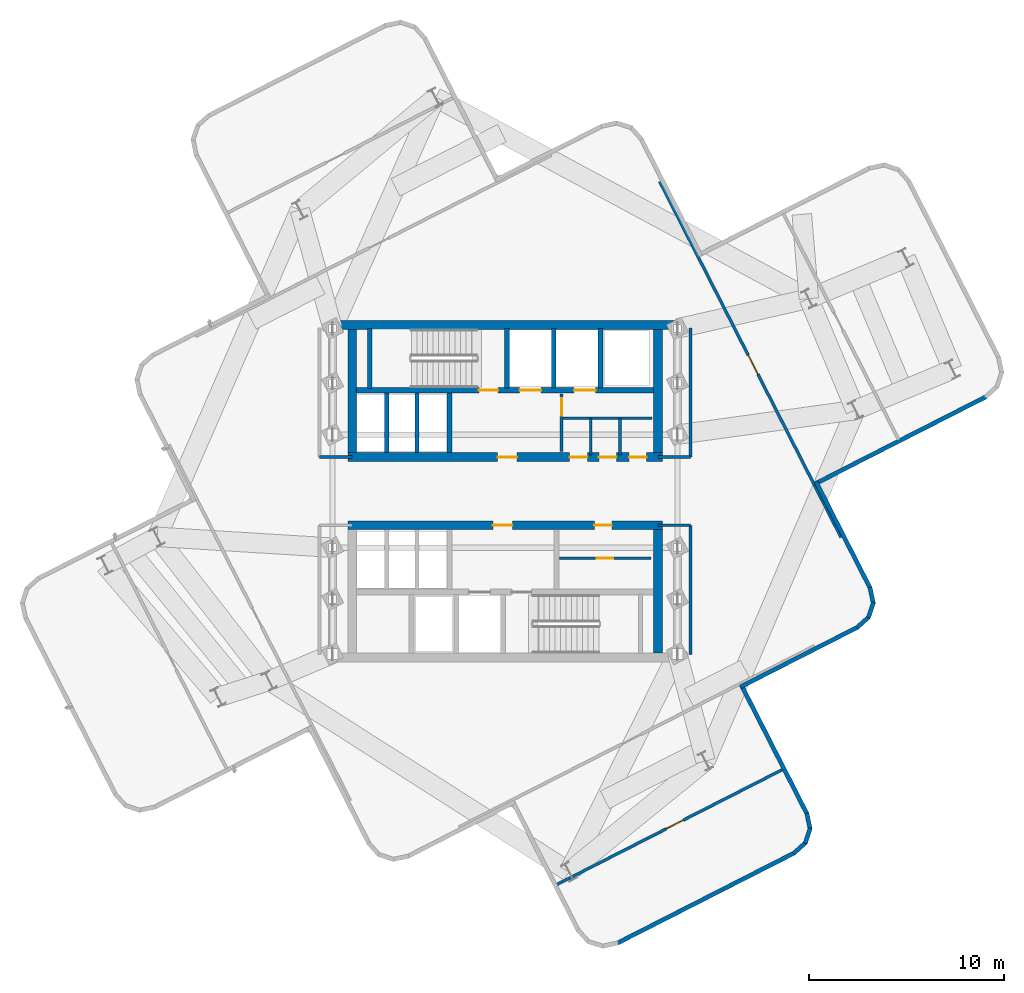
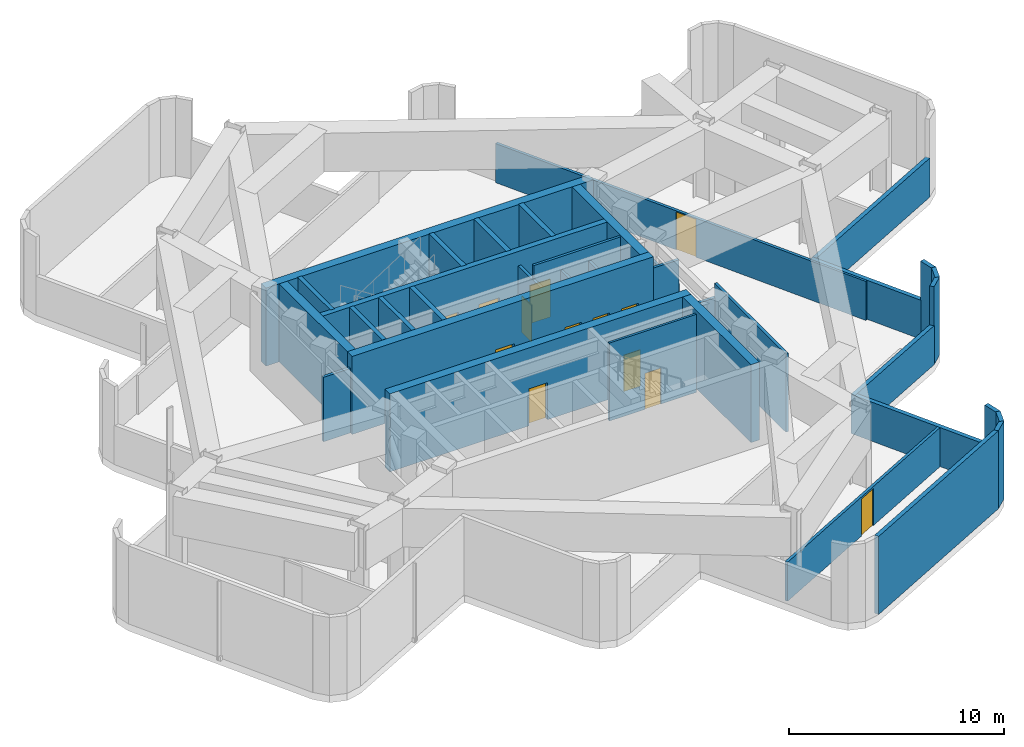
# One storey, part 4 of 6: 37 walls, 13 doors, 13 openings.
"""IFC4 building model written with IfcOpenShell, lengths in metres."""

from ifc_helpers import new_model, si_unit, direction, frame, frame_2d, origin, place, context, subcontext, project, spatial, rectangle, extrude, material, layer, layer_set, type_object, element, fill, save


model = new_model("IFC4")

# Units and contexts
model_context = context("Model", 3, precision=1e-05, world=origin(), true_north=direction((0.0, 1.0)))
body_context = subcontext(model_context, "Body", "Model", "MODEL_VIEW")
ifc_project = project(units=[si_unit("LENGTHUNIT", "METRE"), si_unit("AREAUNIT", "SQUARE_METRE"), si_unit("VOLUMEUNIT", "CUBIC_METRE"), si_unit("PLANEANGLEUNIT", "RADIAN"), si_unit("MASSUNIT", "GRAM", prefix="KILO")], contexts=[model_context])

# Site, building, storey
site_placement = place(None, origin())
site = spatial("IfcSite", under=ifc_project, at=site_placement, CompositionType="ELEMENT")
building_placement = place(site_placement, origin())
building = spatial("IfcBuilding", under=site, at=building_placement, Name="Solmarez Civic Tower", CompositionType="ELEMENT")
storey_placement = place(building_placement, frame((0.0, 0.0, 196.199951171875)))
storey = spatial("IfcBuildingStorey", under=building, at=storey_placement, Name="L52", CompositionType="ELEMENT", Elevation=196.199951171875)

# Wall
ifc_material_1 = material(Name="Concrete C50/60", Category="concrete")
ifc_layer_1 = layer(ifc_material_1, 0.449951171875)
ifc_layer_set_1 = layer_set([ifc_layer_1], Name="Concrete C50/60")
wall_type_1 = type_object("IfcWallType", Name="WALL-CORE-450", PredefinedType="SHEAR", material=ifc_layer_set_1)
wall_1_placement = place(storey_placement, frame((-8.780029296875, 8.534912109375, 0.0), z_axis=(0.0, 0.0, 1.0), x_axis=(1.0, 0.0, 0.0)))
element("IfcWall", 1, at=wall_1_placement, inside=storey, type_object=wall_type_1, Name="L52 Split-Core Structural Wall NCW-N-L52", PredefinedType="SHEAR", context=body_context, shape_type="SweptSolid", body=[
    extrude(rectangle(XDim=17.56005859375, YDim=0.449951171875, at=frame_2d((8.780029296875, 0.0))), origin(), (0.0, 0.0, 1.0), 4.420166015625),
])

# Wall, openings, doors
wall_2_placement = place(storey_placement, frame((8.070068359375, 1.75, 0.0), z_axis=(0.0, 0.0, 1.0), x_axis=(-1.0, 0.0, 0.0)))
wall_2 = element("IfcWall", 2, at=wall_2_placement, inside=storey, type_object=wall_type_1, Name="L52 Split-Core Structural Wall NCW-S-L52", PredefinedType="SHEAR", context=body_context, shape_type="SweptSolid", body=[
    extrude(rectangle(XDim=16.14013671875, YDim=0.449951171875, at=frame_2d((8.070068359375, 0.0))), origin(), (0.0, 0.0, 1.0), 4.420166015625),
])
opening_1_placement = place(wall_2_placement, frame((7.449951171875, 0.0, 0.0)))
opening_1 = element("IfcOpeningElement", 3, at=opening_1_placement, cuts=wall_2, Name="Opening D-04", PredefinedType="OPENING", context=body_context, shape_type="SweptSolid", body=[
    extrude(rectangle(XDim=1.0, YDim=2.10009765625, at=frame_2d((0.5, 1.050048828125))), frame((0.0, 0.23486328125, 0.0), z_axis=(0.0, -1.0, 0.0), x_axis=(1.0, 0.0, 0.0)), (0.0, 0.0, 1.0), 0.469970703125),
])
opening_2_placement = place(wall_2_placement, frame((3.85009765625, 0.0, 0.0)))
opening_2 = element("IfcOpeningElement", 4, at=opening_2_placement, cuts=wall_2, Name="Opening D-09", PredefinedType="OPENING", context=body_context, shape_type="SweptSolid", body=[
    extrude(rectangle(XDim=0.89990234375, YDim=2.06005859375, at=frame_2d((0.449951171875, 1.030029296875))), frame((0.0, 0.23486328125, 0.0), z_axis=(0.0, -1.0, 0.0), x_axis=(1.0, 0.0, 0.0)), (0.0, 0.0, 1.0), 0.469970703125),
])
opening_3_placement = place(wall_2_placement, frame((2.35009765625, 0.0, 0.0)))
opening_3 = element("IfcOpeningElement", 5, at=opening_3_placement, cuts=wall_2, Name="Opening D-09", PredefinedType="OPENING", context=body_context, shape_type="SweptSolid", body=[
    extrude(rectangle(XDim=0.89990234375, YDim=2.06005859375, at=frame_2d((0.449951171875, 1.030029296875))), frame((0.0, 0.23486328125, 0.0), z_axis=(0.0, -1.0, 0.0), x_axis=(1.0, 0.0, 0.0)), (0.0, 0.0, 1.0), 0.469970703125),
])
opening_4_placement = place(wall_2_placement, frame((0.800048828125, 0.0, 0.0)))
opening_4 = element("IfcOpeningElement", 6, at=opening_4_placement, cuts=wall_2, Name="Opening D-09", PredefinedType="OPENING", context=body_context, shape_type="SweptSolid", body=[
    extrude(rectangle(XDim=0.89990234375, YDim=2.06005859375, at=frame_2d((0.449951171875, 1.030029296875))), frame((0.0, 0.23486328125, 0.0), z_axis=(0.0, -1.0, 0.0), x_axis=(1.0, 0.0, 0.0)), (0.0, 0.0, 1.0), 0.469970703125),
])
ifc_material_2 = material(Name="Steel-Faced Acoustic Fire Door", Category="steel")
door_type_1 = type_object("IfcDoorType", Name="DOOR-FD60-1000", OperationType="NOTDEFINED", PredefinedType="DOOR", material=ifc_material_2)
door_1_placement = place(opening_1_placement, origin())
door_1 = element("IfcDoor", 7, at=door_1_placement, inside=storey, type_object=door_type_1, Name="L52 North Firefighting Lobby Door", OperationType="SINGLE_SWING_LEFT", OverallHeight=2.10009765625, OverallWidth=1.0, PredefinedType="DOOR", context=body_context, shape_type="SweptSolid", body=[
    extrude(rectangle(XDim=1.0, YDim=2.10009765625, at=frame_2d((0.5, 1.050048828125))), frame((0.0, 0.02490234375, 0.0), z_axis=(0.0, -1.0, 0.0), x_axis=(1.0, 0.0, 0.0)), (0.0, 0.0, 1.0), 0.050048828125),
])
fill(opening_1, door_1)
ifc_material_3 = material(Name="Fire-Rated Service Core Door", Category="wood")
door_type_2 = type_object("IfcDoorType", Name="DOOR-FD60-900", OperationType="NOTDEFINED", PredefinedType="DOOR", material=ifc_material_3)
door_2_placement = place(opening_2_placement, origin())
door_2 = element("IfcDoor", 8, at=door_2_placement, inside=storey, type_object=door_type_2, Name="L52 Core WC Door", OperationType="SINGLE_SWING_RIGHT", OverallHeight=2.06005859375, OverallWidth=0.89990234375, PredefinedType="DOOR", context=body_context, shape_type="SweptSolid", body=[
    extrude(rectangle(XDim=0.89990234375, YDim=2.06005859375, at=frame_2d((0.449951171875, 1.030029296875))), frame((0.0, 0.02490234375, 0.0), z_axis=(0.0, -1.0, 0.0), x_axis=(1.0, 0.0, 0.0)), (0.0, 0.0, 1.0), 0.050048828125),
])
fill(opening_2, door_2)
door_3_placement = place(opening_3_placement, origin())
door_3 = element("IfcDoor", 9, at=door_3_placement, inside=storey, type_object=door_type_2, Name="L52 Core CL Door", OperationType="SINGLE_SWING_LEFT", OverallHeight=2.06005859375, OverallWidth=0.89990234375, PredefinedType="DOOR", context=body_context, shape_type="SweptSolid", body=[
    extrude(rectangle(XDim=0.89990234375, YDim=2.06005859375, at=frame_2d((0.449951171875, 1.030029296875))), frame((0.0, 0.02490234375, 0.0), z_axis=(0.0, -1.0, 0.0), x_axis=(1.0, 0.0, 0.0)), (0.0, 0.0, 1.0), 0.050048828125),
])
fill(opening_3, door_3)
door_4_placement = place(opening_4_placement, origin())
door_4 = element("IfcDoor", 10, at=door_4_placement, inside=storey, type_object=door_type_2, Name="L52 Core IT Door", OperationType="SINGLE_SWING_LEFT", OverallHeight=2.06005859375, OverallWidth=0.89990234375, PredefinedType="DOOR", context=body_context, shape_type="SweptSolid", body=[
    extrude(rectangle(XDim=0.89990234375, YDim=2.06005859375, at=frame_2d((0.449951171875, 1.030029296875))), frame((0.0, 0.02490234375, 0.0), z_axis=(0.0, -1.0, 0.0), x_axis=(1.0, 0.0, 0.0)), (0.0, 0.0, 1.0), 0.050048828125),
])
fill(opening_4, door_4)

# Walls
for number, where, z_axis, x_axis, name in (
    (11, (-7.844970703125, 1.97509765625, 0.0), (0.0, 0.0, 1.0), (0.0, 1.0, 0.0), "L52 Split-Core Structural Wall NCW-W-L52"),
    (12, (7.844970703125, 8.31005859375, 0.0), (0.0, 0.0, 1.0), (0.0, -1.0, 0.0), "L52 Split-Core Structural Wall NCW-E-L52"),
):
    element("IfcWall", number, at=place(storey_placement, frame(where, z_axis=z_axis, x_axis=x_axis)), inside=storey, type_object=wall_type_1, Name=name, PredefinedType="SHEAR", context=body_context, shape_type="SweptSolid", body=[
        extrude(rectangle(XDim=6.3349609375, YDim=0.449951171875, at=frame_2d((3.16748046875, 0.0))), origin(), (0.0, 0.0, 1.0), 4.420166015625),
    ])

# Wall, openings, doors
wall_3_placement = place(storey_placement, frame((-8.070068359375, -1.75, 0.0), z_axis=(0.0, 0.0, 1.0), x_axis=(1.0, 0.0, 0.0)))
wall_3 = element("IfcWall", 13, at=wall_3_placement, inside=storey, type_object=wall_type_1, Name="L52 Split-Core Structural Wall SCW-N-L52", PredefinedType="SHEAR", context=body_context, shape_type="SweptSolid", body=[
    extrude(rectangle(XDim=16.14013671875, YDim=0.449951171875, at=frame_2d((8.070068359375, 0.0))), origin(), (0.0, 0.0, 1.0), 4.420166015625),
])
opening_5_placement = place(wall_3_placement, frame((7.449951171875, 0.0, 0.0)))
opening_5 = element("IfcOpeningElement", 14, at=opening_5_placement, cuts=wall_3, Name="Opening D-04", PredefinedType="OPENING", context=body_context, shape_type="SweptSolid", body=[
    extrude(rectangle(XDim=1.0, YDim=2.10009765625, at=frame_2d((0.5, 1.050048828125))), frame((0.0, 0.23486328125, 0.0), z_axis=(0.0, -1.0, 0.0), x_axis=(1.0, 0.0, 0.0)), (0.0, 0.0, 1.0), 0.469970703125),
])
opening_6_placement = place(wall_3_placement, frame((12.64990234375, 0.0, 0.0)))
opening_6 = element("IfcOpeningElement", 15, at=opening_6_placement, cuts=wall_3, Name="Opening D-09", PredefinedType="OPENING", context=body_context, shape_type="SweptSolid", body=[
    extrude(rectangle(XDim=0.89990234375, YDim=2.06005859375, at=frame_2d((0.449951171875, 1.030029296875))), frame((0.0, 0.23486328125, 0.0), z_axis=(0.0, -1.0, 0.0), x_axis=(1.0, 0.0, 0.0)), (0.0, 0.0, 1.0), 0.469970703125),
])
door_5_placement = place(opening_5_placement, origin())
door_5 = element("IfcDoor", 16, at=door_5_placement, inside=storey, type_object=door_type_1, Name="L52 South Firefighting Lobby Door", OperationType="SINGLE_SWING_RIGHT", OverallHeight=2.10009765625, OverallWidth=1.0, PredefinedType="DOOR", context=body_context, shape_type="SweptSolid", body=[
    extrude(rectangle(XDim=1.0, YDim=2.10009765625, at=frame_2d((0.5, 1.050048828125))), frame((0.0, 0.02490234375, 0.0), z_axis=(0.0, -1.0, 0.0), x_axis=(1.0, 0.0, 0.0)), (0.0, 0.0, 1.0), 0.050048828125),
])
fill(opening_5, door_5)
door_6_placement = place(opening_6_placement, origin())
door_6 = element("IfcDoor", 17, at=door_6_placement, inside=storey, type_object=door_type_2, Name="L52 Freed Hoistway Mailroom Door", OperationType="SINGLE_SWING_LEFT", OverallHeight=2.06005859375, OverallWidth=0.89990234375, PredefinedType="DOOR", context=body_context, shape_type="SweptSolid", body=[
    extrude(rectangle(XDim=0.89990234375, YDim=2.06005859375, at=frame_2d((0.449951171875, 1.030029296875))), frame((0.0, 0.02490234375, 0.0), z_axis=(0.0, -1.0, 0.0), x_axis=(1.0, 0.0, 0.0)), (0.0, 0.0, 1.0), 0.050048828125),
])
fill(opening_6, door_6)

# Walls
wall_4_placement = place(storey_placement, frame((7.844970703125, -1.97509765625, 0.0), z_axis=(0.0, 0.0, 1.0), x_axis=(0.0, -1.0, 0.0)))
element("IfcWall", 18, at=wall_4_placement, inside=storey, type_object=wall_type_1, Name="L52 Split-Core Structural Wall SCW-E-L52", PredefinedType="SHEAR", context=body_context, shape_type="SweptSolid", body=[
    extrude(rectangle(XDim=6.3349609375, YDim=0.449951171875, at=frame_2d((3.16748046875, 0.0))), origin(), (0.0, 0.0, 1.0), 4.420166015625),
])
ifc_material_4 = material(Name="Precast concrete C40/50", Category="concrete")
ifc_layer_2 = layer(ifc_material_4, 0.219970703125)
ifc_layer_set_2 = layer_set([ifc_layer_2], Name="Precast concrete C40/50")
wall_type_2 = type_object("IfcWallType", Name="WALL-EXT-220", PredefinedType="SOLIDWALL", material=ifc_layer_set_2)
wall_5_placement = place(storey_placement, frame((24.698974609375, 4.85205078125, 0.0), z_axis=(0.0, 0.0, 1.0), x_axis=(-0.891008307955, -0.453986998883, 0.0)))
element("IfcWall", 19, at=wall_5_placement, inside=storey, type_object=wall_type_2, Name="L52 Exterior Precast Wall 46", PredefinedType="SOLIDWALL", context=body_context, shape_type="SweptSolid", body=[
    extrude(rectangle(XDim=9.857421875, YDim=0.219970703125, at=frame_2d((4.9287109375, 0.0))), origin(), (0.0, 0.0, 1.0), 2.212158203125),
])
wall_6_placement = place(storey_placement, frame((15.9541015625, 0.4951171875, 0.0), z_axis=(0.0, 0.0, 1.0), x_axis=(0.454003577481, -0.890999860625, 0.0)))
element("IfcWall", 20, at=wall_6_placement, inside=storey, type_object=wall_type_2, Name="L52 Exterior Precast Wall 49", PredefinedType="SOLIDWALL", context=body_context, shape_type="SweptSolid", body=[
    extrude(rectangle(XDim=6.158203125, YDim=0.219970703125, at=frame_2d((3.0791015625, 0.0))), origin(), (0.0, 0.0, 1.0), 2.212158203125),
])
wall_7_placement = place(storey_placement, frame((18.73388671875, -4.946044921875, 0.0), z_axis=(0.0, 0.0, 1.0), x_axis=(0.207767630705, -0.978178210569, 0.0)))
element("IfcWall", 21, at=wall_7_placement, inside=storey, type_object=wall_type_2, Name="L52 Exterior Precast Wall 50", PredefinedType="SOLIDWALL", context=body_context, shape_type="SweptSolid", body=[
    extrude(rectangle(XDim=0.8330078125, YDim=0.219970703125, at=frame_2d((0.41650390625, 0.0))), origin(), (0.0, 0.0, 1.0), 4.420166015625),
])
wall_8_placement = place(storey_placement, frame((18.909912109375, -5.712890625, 0.0), z_axis=(0.0, 0.0, 1.0), x_axis=(-0.309523466815, -0.950891804303, 0.0)))
element("IfcWall", 22, at=wall_8_placement, inside=storey, type_object=wall_type_2, Name="L52 Exterior Precast Wall 51", PredefinedType="SOLIDWALL", context=body_context, shape_type="SweptSolid", body=[
    extrude(rectangle(XDim=0.8203125, YDim=0.219970703125, at=frame_2d((0.41015625, 0.0))), origin(), (0.0, 0.0, 1.0), 4.420166015625),
])
wall_9_placement = place(storey_placement, frame((18.68310546875, -6.451904296875, 0.0), z_axis=(0.0, 0.0, 1.0), x_axis=(-0.743236035758, -0.669029293194, 0.0)))
element("IfcWall", 23, at=wall_9_placement, inside=storey, type_object=wall_type_2, Name="L52 Exterior Precast Wall 52", PredefinedType="SOLIDWALL", context=body_context, shape_type="SweptSolid", body=[
    extrude(rectangle(XDim=0.835693359375, YDim=0.219970703125, at=frame_2d((0.41796875, 0.0))), origin(), (0.0, 0.0, 1.0), 4.420166015625),
])
wall_10_placement = place(storey_placement, frame((18.10302734375, -6.98291015625, 0.0), z_axis=(0.0, 0.0, 1.0), x_axis=(-0.890990691232, -0.454021572326, 0.0)))
element("IfcWall", 24, at=wall_10_placement, inside=storey, type_object=wall_type_2, Name="L52 Exterior Precast Wall 53", PredefinedType="SOLIDWALL", context=body_context, shape_type="SweptSolid", body=[
    extrude(rectangle(XDim=6.757568359375, YDim=0.219970703125, at=frame_2d((3.37890625, 0.0))), origin(), (0.0, 0.0, 1.0), 2.212158203125),
])
wall_11_placement = place(storey_placement, frame((12.1201171875, -9.93310546875, 0.0), z_axis=(0.0, 0.0, 1.0), x_axis=(0.454075854948, -0.890963028387, 0.0)))
element("IfcWall", 25, at=wall_11_placement, inside=storey, type_object=wall_type_2, Name="L52 Exterior Precast Wall 56", PredefinedType="SOLIDWALL", context=body_context, shape_type="SweptSolid", body=[
    extrude(rectangle(XDim=7.456787109375, YDim=0.219970703125, at=frame_2d((3.728515625, 0.0))), origin(), (0.0, 0.0, 1.0), 2.212158203125),
])
wall_12_placement = place(storey_placement, frame((15.489990234375, -16.531005859375, 0.0), z_axis=(0.0, 0.0, 1.0), x_axis=(0.207529672301, -0.978228723313, 0.0)))
element("IfcWall", 26, at=wall_12_placement, inside=storey, type_object=wall_type_2, Name="L52 Exterior Precast Wall 57", PredefinedType="SOLIDWALL", context=body_context, shape_type="SweptSolid", body=[
    extrude(rectangle(XDim=0.833984375, YDim=0.219970703125, at=frame_2d((0.4169921875, 0.0))), origin(), (0.0, 0.0, 1.0), 4.420166015625),
])
wall_13_placement = place(storey_placement, frame((15.666015625, -17.299072265625, 0.0), z_axis=(0.0, 0.0, 1.0), x_axis=(-0.309962035128, -0.950748934672, 0.0)))
element("IfcWall", 27, at=wall_13_placement, inside=storey, type_object=wall_type_2, Name="L52 Exterior Precast Wall 58", PredefinedType="SOLIDWALL", context=body_context, shape_type="SweptSolid", body=[
    extrude(rectangle(XDim=0.819091796875, YDim=0.219970703125, at=frame_2d((0.40966796875, 0.0))), origin(), (0.0, 0.0, 1.0), 4.420166015625),
])
wall_14_placement = place(storey_placement, frame((15.43896484375, -18.037109375, 0.0), z_axis=(0.0, 0.0, 1.0), x_axis=(-0.743250545916, -0.66901317326, 0.0)))
element("IfcWall", 28, at=wall_14_placement, inside=storey, type_object=wall_type_2, Name="L52 Exterior Precast Wall 59", PredefinedType="SOLIDWALL", context=body_context, shape_type="SweptSolid", body=[
    extrude(rectangle(XDim=0.835205078125, YDim=0.219970703125, at=frame_2d((0.41748046875, 0.0))), origin(), (0.0, 0.0, 1.0), 4.420166015625),
])
wall_15_placement = place(storey_placement, frame((14.85888671875, -18.568115234375, 0.0), z_axis=(0.0, 0.0, 1.0), x_axis=(-0.890999568682, -0.454004150432, 0.0)))
element("IfcWall", 29, at=wall_15_placement, inside=storey, type_object=wall_type_2, Name="L52 Exterior Precast Wall 60", PredefinedType="SOLIDWALL", context=body_context, shape_type="SweptSolid", body=[
    extrude(rectangle(XDim=10.219970703125, YDim=0.219970703125, at=frame_2d((5.10986328125, 0.0))), origin(), (0.0, 0.0, 1.0), 4.420166015625),
])
ifc_material_5 = material(Name="Gypsum Board Acoustic Steel-Stud Partition", Category="steel")
ifc_layer_3 = layer(ifc_material_5, 0.14990234375)
ifc_layer_set_3 = layer_set([ifc_layer_3], Name="Gypsum Board Acoustic Steel-Stud Partition")
wall_type_3 = type_object("IfcWallType", Name="WALL-INT-FIRE-150", PredefinedType="PARTITIONING", material=ifc_layer_set_3)
wall_16_placement = place(storey_placement, frame((-7.85009765625, 1.75, 0.0), z_axis=(0.0, 0.0, 1.0), x_axis=(-1.0, 0.0, 0.0)))
element("IfcWall", 30, at=wall_16_placement, inside=storey, type_object=wall_type_3, Name="L52 Interior Partition CHW-L52-WN3", PredefinedType="PARTITIONING", context=body_context, shape_type="SweptSolid", body=[
    extrude(rectangle(XDim=1.669921875, YDim=0.14990234375, at=frame_2d((0.8349609375, 0.0))), origin(), (0.0, 0.0, 1.0), 3.650146484375),
])
wall_17_placement = place(storey_placement, frame((9.52001953125, 1.75, 0.0), z_axis=(0.0, 0.0, 1.0), x_axis=(0.0, 1.0, 0.0)))
element("IfcWall", 31, at=wall_17_placement, inside=storey, type_object=wall_type_3, Name="L52 Interior Partition CHW-L52-EN1", PredefinedType="PARTITIONING", context=body_context, shape_type="SweptSolid", body=[
    extrude(rectangle(XDim=6.6298828125, YDim=0.14990234375, at=frame_2d((3.31494140625, 0.0))), origin(), (0.0, 0.0, 1.0), 2.212158203125),
])
wall_18_placement = place(storey_placement, frame((7.85009765625, 1.75, 0.0), z_axis=(0.0, 0.0, 1.0), x_axis=(1.0, 0.0, 0.0)))
element("IfcWall", 32, at=wall_18_placement, inside=storey, type_object=wall_type_3, Name="L52 Interior Partition CHW-L52-EN3", PredefinedType="PARTITIONING", context=body_context, shape_type="SweptSolid", body=[
    extrude(rectangle(XDim=1.669921875, YDim=0.14990234375, at=frame_2d((0.8349609375, 0.0))), origin(), (0.0, 0.0, 1.0), 3.650146484375),
])
wall_19_placement = place(storey_placement, frame((9.52001953125, -8.3798828125, 0.0), z_axis=(0.0, 0.0, 1.0), x_axis=(0.0, 1.0, 0.0)))
element("IfcWall", 33, at=wall_19_placement, inside=storey, type_object=wall_type_3, Name="L52 Interior Partition CHW-L52-ES1", PredefinedType="PARTITIONING", context=body_context, shape_type="SweptSolid", body=[
    extrude(rectangle(XDim=6.6298828125, YDim=0.14990234375, at=frame_2d((3.31494140625, 0.0))), origin(), (0.0, 0.0, 1.0), 4.420166015625),
])
wall_20_placement = place(storey_placement, frame((7.85009765625, -1.75, 0.0), z_axis=(0.0, 0.0, 1.0), x_axis=(1.0, 0.0, 0.0)))
element("IfcWall", 34, at=wall_20_placement, inside=storey, type_object=wall_type_3, Name="L52 Interior Partition CHW-L52-ES3", PredefinedType="PARTITIONING", context=body_context, shape_type="SweptSolid", body=[
    extrude(rectangle(XDim=1.669921875, YDim=0.14990234375, at=frame_2d((0.8349609375, 0.0))), origin(), (0.0, 0.0, 1.0), 3.650146484375),
])

# Wall, opening, door
wall_21_placement = place(storey_placement, frame((7.943115234375, 15.886962890625, 0.0), z_axis=(0.0, 0.0, 1.0), x_axis=(0.454027476073, -0.890987682839, 0.0)))
wall_21 = element("IfcWall", 35, at=wall_21_placement, inside=storey, type_object=wall_type_3, Name="L52 Interior Partition PT-L52-E-ENT", PredefinedType="PARTITIONING", context=body_context, shape_type="SweptSolid", body=[
    extrude(rectangle(XDim=20.49853515625, YDim=0.14990234375, at=frame_2d((10.249267578125, 0.0))), origin(), (0.0, 0.0, 1.0), 2.212158203125),
])
opening_7_placement = place(wall_21_placement, frame((10.0, 0.0, 0.0)))
opening_7 = element("IfcOpeningElement", 36, at=opening_7_placement, cuts=wall_21, Name="Opening D-07", PredefinedType="OPENING", context=body_context, shape_type="SweptSolid", body=[
    extrude(rectangle(XDim=1.10009765625, YDim=2.14990234375, at=frame_2d((0.550048828125, 1.074951171875))), frame((0.0, 0.0849609375, 0.0), z_axis=(0.0, -1.0, 0.0), x_axis=(1.0, 0.0, 0.0)), (0.0, 0.0, 1.0), 0.169921875),
])
ifc_material_6 = material(Name="Heavy-Duty Fire Exit Door", Category="wood")
door_type_3 = type_object("IfcDoorType", Name="DOOR-FD90-1100", OperationType="NOTDEFINED", PredefinedType="DOOR", material=ifc_material_6)
door_7_placement = place(opening_7_placement, origin())
door_7 = element("IfcDoor", 37, at=door_7_placement, inside=storey, type_object=door_type_3, Name="L52 East Protected Refuge Area Door", OperationType="SINGLE_SWING_LEFT", OverallHeight=2.14990234375, OverallWidth=1.10009765625, PredefinedType="DOOR", context=body_context, shape_type="SweptSolid", body=[
    extrude(rectangle(XDim=1.10009765625, YDim=2.14990234375, at=frame_2d((0.550048828125, 1.074951171875))), frame((0.0, 0.02490234375, 0.0), z_axis=(0.0, -1.0, 0.0), x_axis=(1.0, 0.0, 0.0)), (0.0, 0.0, 1.0), 0.050048828125),
])
fill(opening_7, door_7)

wall_22_placement = place(storey_placement, frame((14.25390625, -14.285888671875, 0.0), z_axis=(0.0, 0.0, 1.0), x_axis=(-0.890975712232, -0.454050966536, 0.0)))
wall_22 = element("IfcWall", 38, at=wall_22_placement, inside=storey, type_object=wall_type_3, Name="L52 Interior Partition PT-L52-S-MID", PredefinedType="PARTITIONING", context=body_context, shape_type="SweptSolid", body=[
    extrude(rectangle(XDim=13.029296875, YDim=0.14990234375, at=frame_2d((6.5146484375, 0.0))), origin(), (0.0, 0.0, 1.0), 2.212158203125),
])
opening_8_placement = place(wall_22_placement, frame((5.715087890625, 0.0, 0.0)))
opening_8 = element("IfcOpeningElement", 39, at=opening_8_placement, cuts=wall_22, Name="Opening D-04", PredefinedType="OPENING", context=body_context, shape_type="SweptSolid", body=[
    extrude(rectangle(XDim=1.0, YDim=2.10009765625, at=frame_2d((0.5, 1.050048828125))), frame((0.0, 0.0849609375, 0.0), z_axis=(0.0, -1.0, 0.0), x_axis=(1.0, 0.0, 0.0)), (0.0, 0.0, 1.0), 0.169921875),
])
door_8_placement = place(opening_8_placement, origin())
door_8 = element("IfcDoor", 40, at=door_8_placement, inside=storey, type_object=door_type_1, Name="L52 Belt Truss Mechanical Plant Room Door", OperationType="SINGLE_SWING_RIGHT", OverallHeight=2.10009765625, OverallWidth=1.0, PredefinedType="DOOR", context=body_context, shape_type="SweptSolid", body=[
    extrude(rectangle(XDim=1.0, YDim=2.10009765625, at=frame_2d((0.5, 1.050048828125))), frame((0.0, 0.02490234375, 0.0), z_axis=(0.0, -1.0, 0.0), x_axis=(1.0, 0.0, 0.0)), (0.0, 0.0, 1.0), 0.050048828125),
])
fill(opening_8, door_8)

ifc_layer_4 = layer(ifc_material_5, 0.1201171875)
ifc_layer_set_4 = layer_set([ifc_layer_4], Name="Gypsum Board Acoustic Steel-Stud Partition")
wall_type_4 = type_object("IfcWallType", Name="WALL-INT-PART-120", PredefinedType="PARTITIONING", material=ifc_layer_set_4)
wall_23_placement = place(storey_placement, frame((2.800048828125, -3.449951171875, 0.0), z_axis=(0.0, 0.0, 1.0), x_axis=(1.0, 0.0, 0.0)))
wall_23 = element("IfcWall", 41, at=wall_23_placement, inside=storey, type_object=wall_type_4, Name="L52 Interior Partition PT-FPLL-L52", PredefinedType="PARTITIONING", context=body_context, shape_type="SweptSolid", body=[
    extrude(rectangle(XDim=4.679931640625, YDim=0.1201171875, at=frame_2d((2.33984375, 0.0))), origin(), (0.0, 0.0, 1.0), 4.420166015625),
])
opening_9_placement = place(wall_23_placement, frame((1.89990234375, 0.0, 0.0)))
opening_9 = element("IfcOpeningElement", 42, at=opening_9_placement, cuts=wall_23, Name="Opening D-14", PredefinedType="OPENING", context=body_context, shape_type="SweptSolid", body=[
    extrude(rectangle(XDim=0.860107421875, YDim=2.0400390625, at=frame_2d((0.43017578125, 1.02001953125))), frame((0.0, 0.070068359375, 0.0), z_axis=(0.0, -1.0, 0.0), x_axis=(1.0, 0.0, 0.0)), (0.0, 0.0, 1.0), 0.14013671875),
])
ifc_material_7 = material(Name="Timber Storage and Pantry Door", Category="wood")
door_type_4 = type_object("IfcDoorType", Name="DOOR-INT-850", OperationType="NOTDEFINED", PredefinedType="DOOR", material=ifc_material_7)
door_9_placement = place(opening_9_placement, origin())
door_9 = element("IfcDoor", 43, at=door_9_placement, inside=storey, type_object=door_type_4, Name="L52 Records Filing Room Door", OperationType="SINGLE_SWING_LEFT", OverallHeight=2.0400390625, OverallWidth=0.860107421875, PredefinedType="DOOR", context=body_context, shape_type="SweptSolid", body=[
    extrude(rectangle(XDim=0.860107421875, YDim=2.0400390625, at=frame_2d((0.43017578125, 1.02001953125))), frame((0.0, 0.02490234375, 0.0), z_axis=(0.0, -1.0, 0.0), x_axis=(1.0, 0.0, 0.0)), (0.0, 0.0, 1.0), 0.050048828125),
])
fill(opening_9, door_9)

ifc_layer_5 = layer(ifc_material_5, 0.159912109375)
ifc_layer_set_5 = layer_set([ifc_layer_5], Name="Gypsum Board Acoustic Steel-Stud Partition")
wall_type_5 = type_object("IfcWallType", Name="WALL-INT-SHAFT-160", PredefinedType="PARTITIONING", material=ifc_layer_set_5)
wall_24_placement = place(storey_placement, frame((2.89990234375, 2.0400390625, 0.0), z_axis=(0.0, 0.0, 1.0), x_axis=(0.0, 1.0, 0.0)))
wall_24 = element("IfcWall", 44, at=wall_24_placement, inside=storey, type_object=wall_type_5, Name="L52 Interior Partition SHW-NL2-L52", PredefinedType="PARTITIONING", context=body_context, shape_type="SweptSolid", body=[
    extrude(rectangle(XDim=2.93994140625, YDim=0.159912109375, at=frame_2d((1.469970703125, 0.0))), origin(), (0.0, 0.0, 1.0), 3.650146484375),
])
opening_10_placement = place(wall_24_placement, frame((1.820068359375, 0.0, 0.0)))
opening_10 = element("IfcOpeningElement", 45, at=opening_10_placement, cuts=wall_24, Name="Opening D-09", PredefinedType="OPENING", context=body_context, shape_type="SweptSolid", body=[
    extrude(rectangle(XDim=0.89990234375, YDim=2.06005859375, at=frame_2d((0.449951171875, 1.030029296875))), frame((0.0, 0.08984375, 0.0), z_axis=(0.0, -1.0, 0.0), x_axis=(1.0, 0.0, 0.0)), (0.0, 0.0, 1.0), 0.179931640625),
])
door_10_placement = place(opening_10_placement, origin())
door_10 = element("IfcDoor", 46, at=door_10_placement, inside=storey, type_object=door_type_2, Name="L52 Service Lift Lobby Door", OperationType="SINGLE_SWING_LEFT", OverallHeight=2.06005859375, OverallWidth=0.89990234375, PredefinedType="DOOR", context=body_context, shape_type="SweptSolid", body=[
    extrude(rectangle(XDim=0.89990234375, YDim=2.06005859375, at=frame_2d((0.449951171875, 1.030029296875))), frame((0.0, 0.02490234375, 0.0), z_axis=(0.0, -1.0, 0.0), x_axis=(1.0, 0.0, 0.0)), (0.0, 0.0, 1.0), 0.050048828125),
])
fill(opening_10, door_10)

# Walls
ifc_layer_6 = layer(ifc_material_5, 0.137939453125)
ifc_layer_set_6 = layer_set([ifc_layer_6], Name="Gypsum Board Acoustic Steel-Stud Partition")
wall_type_6 = type_object("IfcWallType", Name="WALL-INT-WET-140", PredefinedType="PARTITIONING", material=ifc_layer_set_6)
wall_25_placement = place(storey_placement, frame((2.89990234375, 3.739990234375, 0.0), z_axis=(0.0, 0.0, 1.0), x_axis=(1.0, 0.0, 0.0)))
element("IfcWall", 47, at=wall_25_placement, inside=storey, type_object=wall_type_6, Name="L52 Interior Partition SHW-SVH-L52", PredefinedType="PARTITIONING", context=body_context, shape_type="SweptSolid", body=[
    extrude(rectangle(XDim=4.650146484375, YDim=0.137939453125, at=frame_2d((2.3251953125, 0.0))), origin(), (0.0, 0.0, 1.0), 4.420166015625),
])
for number, where, z_axis, x_axis, name in (
    (48, (4.39990234375, 1.85009765625, 0.0), (0.0, 0.0, 1.0), (0.0, 1.0, 0.0), "L52 Interior Partition PT-NCSV1-L52"),
    (49, (5.89990234375, 1.85009765625, 0.0), (0.0, 0.0, 1.0), (0.0, 1.0, 0.0), "L52 Interior Partition PT-NCSV2-L52"),
):
    element("IfcWall", number, at=place(storey_placement, frame(where, z_axis=z_axis, x_axis=x_axis)), inside=storey, type_object=wall_type_6, Name=name, PredefinedType="PARTITIONING", context=body_context, shape_type="SweptSolid", body=[
        extrude(rectangle(XDim=1.889892578125, YDim=0.137939453125, at=frame_2d((0.94482421875, 0.0))), origin(), (0.0, 0.0, 1.0), 3.650146484375),
    ])

# Wall, openings, doors
ifc_layer_7 = layer(ifc_material_1, 0.300048828125)
ifc_layer_set_7 = layer_set([ifc_layer_7], Name="Concrete C50/60")
wall_type_7 = type_object("IfcWallType", Name="WALL-STR-300", PredefinedType="SOLIDWALL", material=ifc_layer_set_7)
wall_26_placement = place(storey_placement, frame((7.6201171875, 5.179931640625, 0.0), z_axis=(0.0, 0.0, 1.0), x_axis=(-1.0, 0.0, 0.0)))
wall_26 = element("IfcWall", 50, at=wall_26_placement, inside=storey, type_object=wall_type_7, Name="L52 Split-Core Structural Wall NCW-M-L52", PredefinedType="SOLIDWALL", context=body_context, shape_type="SweptSolid", body=[
    extrude(rectangle(XDim=15.240234375, YDim=0.300048828125, at=frame_2d((7.6201171875, 0.0))), origin(), (0.0, 0.0, 1.0), 4.420166015625),
])
opening_11_placement = place(wall_26_placement, frame((5.77001953125, 0.0, 0.0)))
opening_11 = element("IfcOpeningElement", 51, at=opening_11_placement, cuts=wall_26, Name="Opening LD-02", PredefinedType="OPENING", context=body_context, shape_type="SweptSolid", body=[
    extrude(rectangle(XDim=1.10009765625, YDim=2.14990234375, at=frame_2d((0.550048828125, 1.074951171875))), frame((0.0, 0.159912109375, 0.0), z_axis=(0.0, -1.0, 0.0), x_axis=(1.0, 0.0, 0.0)), (0.0, 0.0, 1.0), 0.320068359375),
])
opening_12_placement = place(wall_26_placement, frame((2.969970703125, 0.0, 0.0)))
opening_12 = element("IfcOpeningElement", 52, at=opening_12_placement, cuts=wall_26, Name="Opening LD-03", PredefinedType="OPENING", context=body_context, shape_type="SweptSolid", body=[
    extrude(rectangle(XDim=1.10009765625, YDim=2.14990234375, at=frame_2d((0.550048828125, 1.074951171875))), frame((0.0, 0.159912109375, 0.0), z_axis=(0.0, -1.0, 0.0), x_axis=(1.0, 0.0, 0.0)), (0.0, 0.0, 1.0), 0.320068359375),
])
opening_13_placement = place(wall_26_placement, frame((7.969970703125, 0.0, 0.0)))
opening_13 = element("IfcOpeningElement", 53, at=opening_13_placement, cuts=wall_26, Name="Opening D-05", PredefinedType="OPENING", context=body_context, shape_type="SweptSolid", body=[
    extrude(rectangle(XDim=1.0, YDim=2.10009765625, at=frame_2d((0.5, 1.050048828125))), frame((0.0, 0.159912109375, 0.0), z_axis=(0.0, -1.0, 0.0), x_axis=(1.0, 0.0, 0.0)), (0.0, 0.0, 1.0), 0.320068359375),
])
ifc_material_8 = material(Name="Fire-Rated Stairwell Exit Door", Category="wood")
door_type_5 = type_object("IfcDoorType", Name="DOOR-FD90-1000", OperationType="NOTDEFINED", PredefinedType="DOOR", material=ifc_material_8)
door_11_placement = place(opening_13_placement, origin())
door_11 = element("IfcDoor", 54, at=door_11_placement, inside=storey, type_object=door_type_5, Name="L52 North Exit Stair Door ST-1", OperationType="SINGLE_SWING_LEFT", OverallHeight=2.10009765625, OverallWidth=1.0, PredefinedType="DOOR", context=body_context, shape_type="SweptSolid", body=[
    extrude(rectangle(XDim=1.0, YDim=2.10009765625, at=frame_2d((0.5, 1.050048828125))), frame((0.0, 0.02490234375, 0.0), z_axis=(0.0, -1.0, 0.0), x_axis=(1.0, 0.0, 0.0)), (0.0, 0.0, 1.0), 0.050048828125),
])
fill(opening_13, door_11)
ifc_material_9 = material(Name="Stainless Firefighting Lift Landing Sliding Door", Category="aluminium")
door_type_6 = type_object("IfcDoorType", Name="DOOR-LD-FF-1100", OperationType="DOUBLE_DOOR_SLIDING", PredefinedType="DOOR", material=ifc_material_9)
door_12_placement = place(opening_11_placement, origin())
door_12 = element("IfcDoor", 55, at=door_12_placement, inside=storey, type_object=door_type_6, Name="L52 Firefighting Lift Landing Door FFL-1", OperationType="DOUBLE_DOOR_SLIDING", OverallHeight=2.14990234375, OverallWidth=1.10009765625, PredefinedType="DOOR", context=body_context, shape_type="SweptSolid", body=[
    extrude(rectangle(XDim=1.10009765625, YDim=2.14990234375, at=frame_2d((0.550048828125, 1.074951171875))), frame((0.0, 0.02490234375, 0.0), z_axis=(0.0, -1.0, 0.0), x_axis=(1.0, 0.0, 0.0)), (0.0, 0.0, 1.0), 0.050048828125),
])
fill(opening_11, door_12)
ifc_material_10 = material(Name="Stainless Stretcher Lift Landing Sliding Door", Category="aluminium")
door_type_7 = type_object("IfcDoorType", Name="DOOR-LD-SV-1100", OperationType="DOUBLE_DOOR_SLIDING", PredefinedType="DOOR", material=ifc_material_10)
door_13_placement = place(opening_12_placement, origin())
door_13 = element("IfcDoor", 56, at=door_13_placement, inside=storey, type_object=door_type_7, Name="L52 Service Stretcher Lift Landing Door SVL-1", OperationType="DOUBLE_DOOR_SLIDING", OverallHeight=2.14990234375, OverallWidth=1.10009765625, PredefinedType="DOOR", context=body_context, shape_type="SweptSolid", body=[
    extrude(rectangle(XDim=1.10009765625, YDim=2.14990234375, at=frame_2d((0.550048828125, 1.074951171875))), frame((0.0, 0.02490234375, 0.0), z_axis=(0.0, -1.0, 0.0), x_axis=(1.0, 0.0, 0.0)), (0.0, 0.0, 1.0), 0.050048828125),
])
fill(opening_12, door_13)

# Walls
wall_27_placement = place(storey_placement, frame((-6.949951171875, 5.280029296875, 0.0), z_axis=(0.0, 0.0, 1.0), x_axis=(0.0, 1.0, 0.0)))
element("IfcWall", 57, at=wall_27_placement, inside=storey, type_object=wall_type_7, Name="L52 Split-Core Structural Wall SHW-NW-L52", PredefinedType="SOLIDWALL", context=body_context, shape_type="SweptSolid", body=[
    extrude(rectangle(XDim=3.06005859375, YDim=0.219970703125, at=frame_2d((1.530029296875, 0.0))), origin(), (0.0, 0.0, 1.0), 4.420166015625),
])
for number, where, z_axis, x_axis, name in (
    (58, (0.10009765625, 5.300048828125, 0.0), (0.0, 0.0, 1.0), (0.0, 1.0, 0.0), "L52 Split-Core Structural Wall SHW-N1-L52"),
    (59, (2.5, 5.300048828125, 0.0), (0.0, 0.0, 1.0), (0.0, 1.0, 0.0), "L52 Split-Core Structural Wall SHW-N2-L52"),
    (60, (4.89990234375, 5.300048828125, 0.0), (0.0, 0.0, 1.0), (0.0, 1.0, 0.0), "L52 Split-Core Structural Wall SHW-N3-L52"),
):
    element("IfcWall", number, at=place(storey_placement, frame(where, z_axis=z_axis, x_axis=x_axis)), inside=storey, type_object=wall_type_7, Name=name, PredefinedType="SOLIDWALL", context=body_context, shape_type="SweptSolid", body=[
        extrude(rectangle(XDim=3.0400390625, YDim=0.25, at=frame_2d((1.52001953125, 0.0))), origin(), (0.0, 0.0, 1.0), 4.420166015625),
    ])
wall_28_placement = place(storey_placement, frame((-2.85009765625, 1.97998046875, 0.0), z_axis=(0.0, 0.0, 1.0), x_axis=(0.0, 1.0, 0.0)))
element("IfcWall", 61, at=wall_28_placement, inside=storey, type_object=wall_type_7, Name="L52 Split-Core Structural Wall SHW-NL1-L52", PredefinedType="SOLIDWALL", context=body_context, shape_type="SweptSolid", body=[
    extrude(rectangle(XDim=3.070068359375, YDim=0.25, at=frame_2d((1.53515625, 0.0))), origin(), (0.0, 0.0, 1.0), 4.420166015625),
])
for number, where, z_axis, x_axis, name in (
    (62, (-6.080078125, 1.97998046875, 0.0), (0.0, 0.0, 1.0), (0.0, 1.0, 0.0), "L52 Split-Core Structural Wall SHW-PLH-L52-1"),
    (63, (-4.52001953125, 1.97998046875, 0.0), (0.0, 0.0, 1.0), (0.0, 1.0, 0.0), "L52 Split-Core Structural Wall SHW-PLH-L52-2"),
):
    element("IfcWall", number, at=place(storey_placement, frame(where, z_axis=z_axis, x_axis=x_axis)), inside=storey, type_object=wall_type_7, Name=name, PredefinedType="SOLIDWALL", context=body_context, shape_type="SweptSolid", body=[
        extrude(rectangle(XDim=3.070068359375, YDim=0.219970703125, at=frame_2d((1.53515625, 0.0))), origin(), (0.0, 0.0, 1.0), 4.420166015625),
    ])

save(model, "model.ifc")
